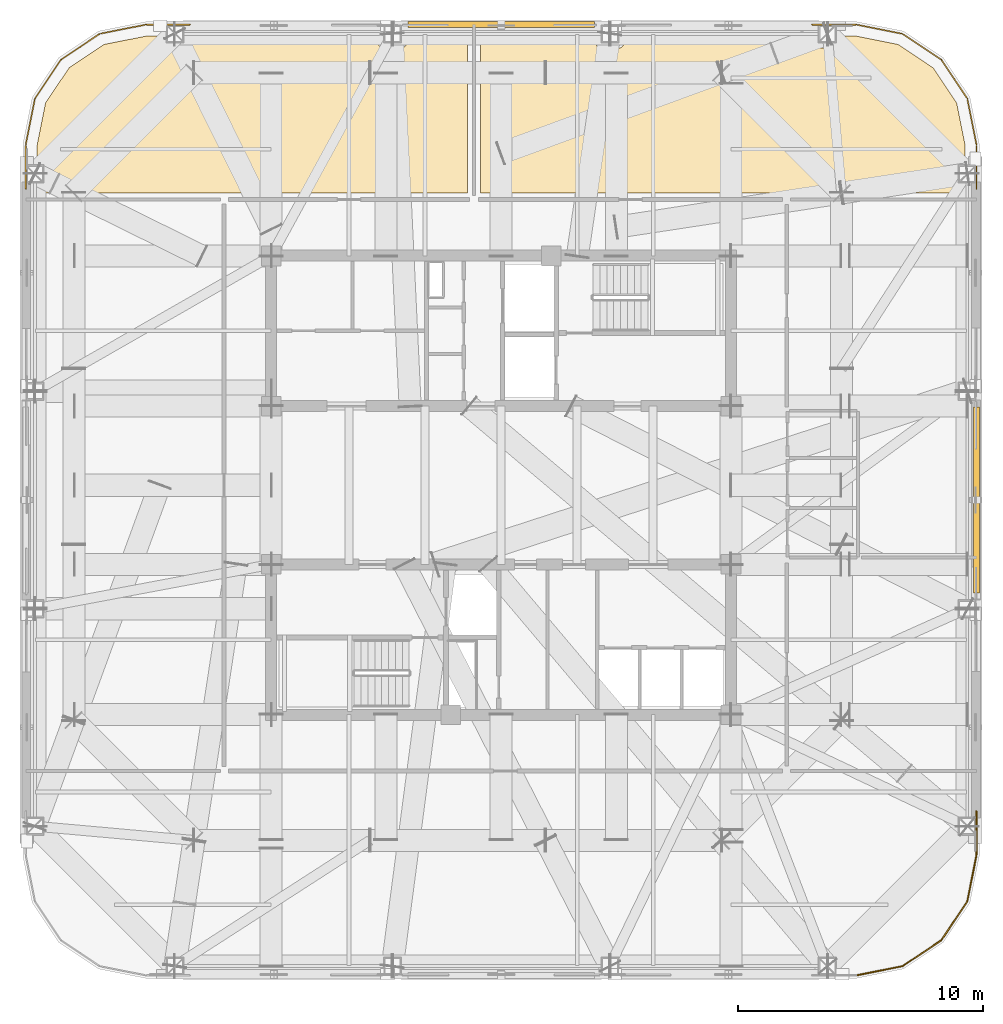
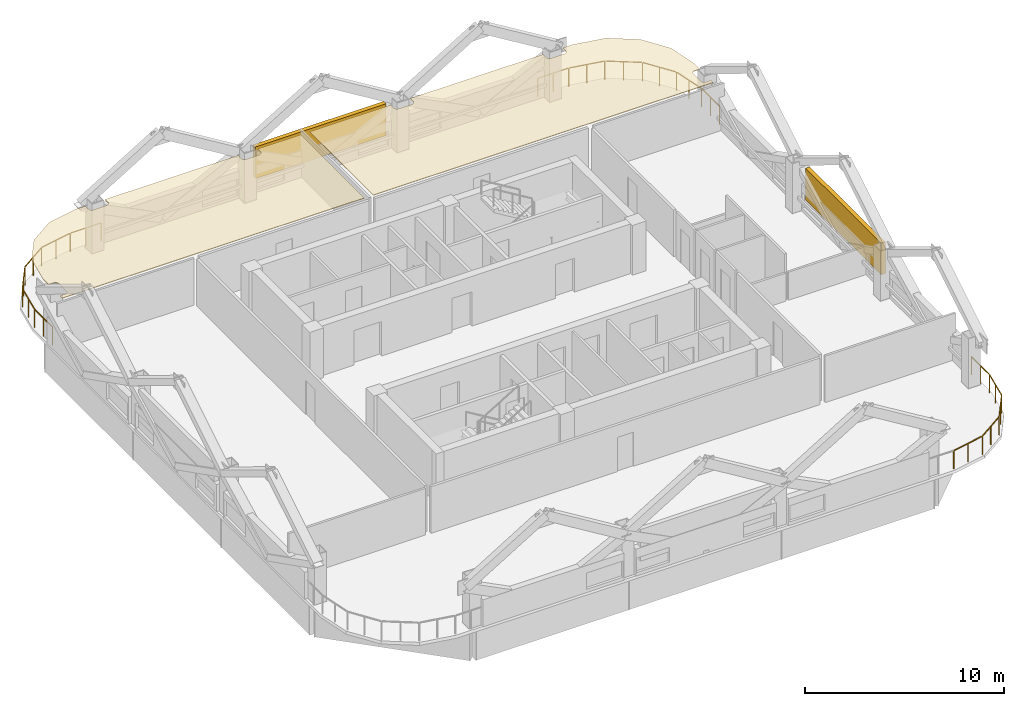
# One storey, part 11 of 11: 3 railings, 2 coverings, 2 shading devices.
"""IFC4 building model written with IfcOpenShell, lengths in metres."""

from ifc_helpers import new_model, si_unit, direction, frame, origin, origin_2d, place, context, subcontext, project, spatial, polyline, rectangle, outline, extrude, material, layer, layer_set, type_object, element, save


model = new_model("IFC4")

# Units and contexts
model_context = context("Model", 3, precision=1e-05, world=origin(), true_north=direction((0.0, 1.0)))
body_context = subcontext(model_context, "Body", "Model", "MODEL_VIEW")
ifc_project = project(units=[si_unit("LENGTHUNIT", "METRE"), si_unit("AREAUNIT", "SQUARE_METRE"), si_unit("VOLUMEUNIT", "CUBIC_METRE"), si_unit("PLANEANGLEUNIT", "RADIAN"), si_unit("MASSUNIT", "GRAM", prefix="KILO")], contexts=[model_context])

# Site, building, storey
site_placement = place(None, origin())
site = spatial("IfcSite", under=ifc_project, at=site_placement, CompositionType="ELEMENT")
building_placement = place(site_placement, origin())
building = spatial("IfcBuilding", under=site, at=building_placement, Name="Qhalaya Broadcast Tower", CompositionType="ELEMENT")
storey_placement = place(building_placement, frame((0.0, 0.0, 199.5)))
storey = spatial("IfcBuildingStorey", under=building, at=storey_placement, Name="L58", CompositionType="ELEMENT", Elevation=199.5)

# Coverings
ifc_material_1 = material(Name="Acoustic Mineral-Fibre Ceiling")
ifc_layer = layer(ifc_material_1, 0.0400390625, Name="Acoustic Mineral-Fibre Ceiling")
ifc_layer_set = layer_set([ifc_layer], Name="Acoustic Mineral-Fibre Ceiling")
covering_type = type_object("IfcCoveringType", Name="Acoustic Mineral-Fibre Suspended Ceiling CLG-01", PredefinedType="CEILING", material=ifc_layer_set)
covering_1_placement = place(storey_placement, frame((0.0, 0.0, 2.820068359375)))
element("IfcCovering", 1, at=covering_1_placement, inside=storey, type_object=covering_type, Name="L58 Acoustic Suspended Ceiling 01", PredefinedType="CEILING", context=body_context, shape_type="SweptSolid", body=[
    extrude(outline(polyline([(-18.919921875, 12.72998046875), (-18.919921875, 12.510009765625), (-1.360107421875, 12.510009765625), (-1.360107421875, 18.919921875), (-3.86328125, 18.919921875), (-3.86328125, 18.6298828125), (-3.8642578125, 18.6103515625), (-3.8671875, 18.591064453125), (-3.871826171875, 18.572021484375), (-3.87841796875, 18.553466796875), (-3.886962890625, 18.53564453125), (-3.89697265625, 18.518798828125), (-3.90869140625, 18.503173828125), (-3.921875, 18.488525390625), (-3.936279296875, 18.475341796875), (-3.9521484375, 18.463623046875), (-3.968994140625, 18.45361328125), (-3.98681640625, 18.4453125), (-4.005126953125, 18.438720703125), (-4.0244140625, 18.433837890625), (-4.043701171875, 18.430908203125), (-4.063232421875, 18.429931640625), (-4.80322265625, 18.429931640625), (-4.822998046875, 18.430908203125), (-4.84228515625, 18.433837890625), (-4.861328125, 18.438720703125), (-4.8798828125, 18.4453125), (-4.897705078125, 18.45361328125), (-4.914306640625, 18.463623046875), (-4.93017578125, 18.475341796875), (-4.944580078125, 18.488525390625), (-4.9580078125, 18.503173828125), (-4.969482421875, 18.518798828125), (-4.979736328125, 18.53564453125), (-4.988037109375, 18.553466796875), (-4.99462890625, 18.572021484375), (-4.99951171875, 18.591064453125), (-5.002197265625, 18.6103515625), (-5.00341796875, 18.6298828125), (-5.00341796875, 18.919921875), (-12.72998046875, 18.919921875), (-12.72998046875, 18.6298828125), (-12.73095703125, 18.6103515625), (-12.73388671875, 18.591064453125), (-12.738525390625, 18.572021484375), (-12.7451171875, 18.553466796875), (-12.753662109375, 18.53564453125), (-12.763671875, 18.518798828125), (-12.775390625, 18.503173828125), (-12.78857421875, 18.488525390625), (-12.802978515625, 18.475341796875), (-12.81884765625, 18.463623046875), (-12.835693359375, 18.45361328125), (-12.853515625, 18.4453125), (-12.871826171875, 18.438720703125), (-12.89111328125, 18.433837890625), (-12.910400390625, 18.430908203125), (-12.929931640625, 18.429931640625), (-13.669921875, 18.429931640625), (-13.689697265625, 18.430908203125), (-13.708984375, 18.433837890625), (-13.72802734375, 18.438720703125), (-13.74658203125, 18.4453125), (-13.764404296875, 18.45361328125), (-13.781005859375, 18.463623046875), (-13.796875, 18.475341796875), (-13.811279296875, 18.488525390625), (-13.82470703125, 18.503173828125), (-13.836181640625, 18.518798828125), (-13.846435546875, 18.53564453125), (-13.854736328125, 18.553466796875), (-13.861328125, 18.572021484375), (-13.8662109375, 18.591064453125), (-13.868896484375, 18.6103515625), (-13.8701171875, 18.6298828125), (-13.8701171875, 18.919921875), (-14.44287109375, 18.919921875), (-16.18701171875, 18.572998046875), (-17.6171875, 17.6171875), (-18.572998046875, 16.18701171875), (-18.919921875, 14.44287109375), (-18.919921875, 13.8701171875), (-18.6298828125, 13.8701171875), (-18.6103515625, 13.868896484375), (-18.591064453125, 13.8662109375), (-18.572021484375, 13.861328125), (-18.553466796875, 13.854736328125), (-18.53564453125, 13.846435546875), (-18.518798828125, 13.836181640625), (-18.503173828125, 13.82470703125), (-18.488525390625, 13.811279296875), (-18.475341796875, 13.796875), (-18.463623046875, 13.781005859375), (-18.45361328125, 13.764404296875), (-18.4453125, 13.74658203125), (-18.438720703125, 13.72802734375), (-18.433837890625, 13.708984375), (-18.430908203125, 13.689697265625), (-18.429931640625, 13.669921875), (-18.429931640625, 12.929931640625), (-18.430908203125, 12.910400390625), (-18.433837890625, 12.89111328125), (-18.438720703125, 12.871826171875), (-18.4453125, 12.853515625), (-18.45361328125, 12.835693359375), (-18.463623046875, 12.81884765625), (-18.475341796875, 12.802978515625), (-18.488525390625, 12.78857421875), (-18.503173828125, 12.775390625), (-18.518798828125, 12.763671875), (-18.53564453125, 12.753662109375), (-18.553466796875, 12.7451171875), (-18.572021484375, 12.738525390625), (-18.591064453125, 12.73388671875), (-18.6103515625, 12.73095703125), (-18.6298828125, 12.72998046875), (-18.919921875, 12.72998046875)])), origin(), (0.0, 0.0, 1.0), 0.0400390625),
])
covering_2_placement = place(storey_placement, frame((0.0, 0.0, 2.820068359375)))
element("IfcCovering", 2, at=covering_2_placement, inside=storey, type_object=covering_type, Name="L58 Acoustic Suspended Ceiling 02", PredefinedType="CEILING", context=body_context, shape_type="SweptSolid", body=[
    extrude(outline(polyline([(3.86328125, 18.919921875), (-0.840087890625, 18.919921875), (-0.840087890625, 12.510009765625), (18.919921875, 12.510009765625), (18.919921875, 12.72998046875), (18.6298828125, 12.72998046875), (18.6103515625, 12.73095703125), (18.591064453125, 12.73388671875), (18.572021484375, 12.738525390625), (18.553466796875, 12.7451171875), (18.53564453125, 12.753662109375), (18.518798828125, 12.763671875), (18.503173828125, 12.775390625), (18.488525390625, 12.78857421875), (18.475341796875, 12.802978515625), (18.463623046875, 12.81884765625), (18.45361328125, 12.835693359375), (18.4453125, 12.853515625), (18.438720703125, 12.871826171875), (18.433837890625, 12.89111328125), (18.430908203125, 12.910400390625), (18.429931640625, 12.929931640625), (18.429931640625, 13.669921875), (18.430908203125, 13.689697265625), (18.433837890625, 13.708984375), (18.438720703125, 13.72802734375), (18.4453125, 13.74658203125), (18.45361328125, 13.764404296875), (18.463623046875, 13.781005859375), (18.475341796875, 13.796875), (18.488525390625, 13.811279296875), (18.503173828125, 13.82470703125), (18.518798828125, 13.836181640625), (18.53564453125, 13.846435546875), (18.553466796875, 13.854736328125), (18.572021484375, 13.861328125), (18.591064453125, 13.8662109375), (18.6103515625, 13.868896484375), (18.6298828125, 13.8701171875), (18.919921875, 13.8701171875), (18.919921875, 14.44287109375), (18.572998046875, 16.18701171875), (17.6171875, 17.6171875), (16.18701171875, 18.572998046875), (14.44287109375, 18.919921875), (13.8701171875, 18.919921875), (13.8701171875, 18.6298828125), (13.868896484375, 18.6103515625), (13.8662109375, 18.591064453125), (13.861328125, 18.572021484375), (13.854736328125, 18.553466796875), (13.846435546875, 18.53564453125), (13.836181640625, 18.518798828125), (13.82470703125, 18.503173828125), (13.811279296875, 18.488525390625), (13.796875, 18.475341796875), (13.781005859375, 18.463623046875), (13.764404296875, 18.45361328125), (13.74658203125, 18.4453125), (13.72802734375, 18.438720703125), (13.708984375, 18.433837890625), (13.689697265625, 18.430908203125), (13.669921875, 18.429931640625), (12.929931640625, 18.429931640625), (12.910400390625, 18.430908203125), (12.89111328125, 18.433837890625), (12.871826171875, 18.438720703125), (12.853515625, 18.4453125), (12.835693359375, 18.45361328125), (12.81884765625, 18.463623046875), (12.802978515625, 18.475341796875), (12.78857421875, 18.488525390625), (12.775390625, 18.503173828125), (12.763671875, 18.518798828125), (12.753662109375, 18.53564453125), (12.7451171875, 18.553466796875), (12.738525390625, 18.572021484375), (12.73388671875, 18.591064453125), (12.73095703125, 18.6103515625), (12.72998046875, 18.6298828125), (12.72998046875, 18.919921875), (5.00341796875, 18.919921875), (5.00341796875, 18.6298828125), (5.002197265625, 18.6103515625), (4.99951171875, 18.591064453125), (4.99462890625, 18.572021484375), (4.988037109375, 18.553466796875), (4.979736328125, 18.53564453125), (4.969482421875, 18.518798828125), (4.9580078125, 18.503173828125), (4.944580078125, 18.488525390625), (4.93017578125, 18.475341796875), (4.914306640625, 18.463623046875), (4.897705078125, 18.45361328125), (4.8798828125, 18.4453125), (4.861328125, 18.438720703125), (4.84228515625, 18.433837890625), (4.822998046875, 18.430908203125), (4.80322265625, 18.429931640625), (4.063232421875, 18.429931640625), (4.043701171875, 18.430908203125), (4.0244140625, 18.433837890625), (4.005126953125, 18.438720703125), (3.98681640625, 18.4453125), (3.968994140625, 18.45361328125), (3.9521484375, 18.463623046875), (3.936279296875, 18.475341796875), (3.921875, 18.488525390625), (3.90869140625, 18.503173828125), (3.89697265625, 18.518798828125), (3.886962890625, 18.53564453125), (3.87841796875, 18.553466796875), (3.871826171875, 18.572021484375), (3.8671875, 18.591064453125), (3.8642578125, 18.6103515625), (3.86328125, 18.6298828125), (3.86328125, 18.919921875)])), origin(), (0.0, 0.0, 1.0), 0.0400390625),
])

# Railings
ifc_material_2 = material(Name="Powder-Coated Galvanised Steel", Category="steel")
railing_type = type_object("IfcRailingType", Name="Terrace, Sky-Pool & Lookout Glass Balustrade 1150", PredefinedType="BALUSTRADE", material=ifc_material_2)
railing_1_placement = place(storey_placement, frame((-19.3798828125, 12.681884765625, 0.0)))
element("IfcRailing", 3, at=railing_1_placement, inside=storey, type_object=railing_type, Name="L58 Rounded Corner Perimeter Guard 03", PredefinedType="BALUSTRADE", context=body_context, shape_type="SweptSolid", body=[
    extrude(rectangle(XDim=0.048095703125, YDim=0.048095703125, at=origin_2d()), frame((0.0, 0.0, 1.1259765625), z_axis=(0.0, 1.0, 0.0), x_axis=(-1.0, 0.0, 0.0)), (0.0, 0.0, 1.0), 1.777587890625),
    extrude(rectangle(XDim=0.048095703125, YDim=0.048095703125, at=origin_2d()), frame((0.005615234375, 1.834716796875, 1.1259765625), z_axis=(0.195037378397, 0.980795810058, 0.0), x_axis=(-0.980795810058, 0.195037378397, 0.0)), (0.0, 0.0, 1.0), 1.857421875),
    extrude(rectangle(XDim=0.048095703125, YDim=0.048095703125, at=origin_2d()), frame((0.3896484375, 3.708740234375, 1.1259765625), z_axis=(0.555617615188, 0.831437950597, 0.0), x_axis=(-0.831437950597, 0.555617615188, 0.0)), (0.0, 0.0, 1.0), 1.845458984375),
    extrude(rectangle(XDim=0.048095703125, YDim=0.048095703125, at=origin_2d()), frame((1.454833984375, 5.283203125, 1.1259765625), z_axis=(0.831437950597, 0.555617615188, 0.0), x_axis=(-0.555617615188, 0.831437950597, 0.0)), (0.0, 0.0, 1.0), 1.845458984375),
    extrude(rectangle(XDim=0.048095703125, YDim=0.048095703125, at=origin_2d()), frame((3.04150390625, 6.330078125, 1.1259765625), z_axis=(0.980795810058, 0.195037378397, 0.0), x_axis=(-0.195037378397, 0.980795810058, 0.0)), (0.0, 0.0, 1.0), 1.857421875),
    extrude(rectangle(XDim=0.048095703125, YDim=0.048095703125, at=origin_2d()), frame((4.92041015625, 6.697998046875, 1.1259765625), z_axis=(1.0, 0.0, 0.0), x_axis=(0.0, 1.0, 0.0)), (0.0, 0.0, 1.0), 1.777587890625),
    extrude(rectangle(XDim=0.0419921875, YDim=0.0419921875, at=origin_2d()), origin(), (0.0, 0.0, 1.0), 1.099853515625),
    extrude(rectangle(XDim=0.0419921875, YDim=0.0419921875, at=origin_2d()), frame((0.0, 0.9033203125, 0.0)), (0.0, 0.0, 1.0), 1.099853515625),
    extrude(rectangle(XDim=0.0419921875, YDim=0.0419921875, at=origin_2d()), frame((0.0, 1.806396484375, 0.0)), (0.0, 0.0, 1.0), 1.099853515625),
    extrude(rectangle(XDim=0.0419921875, YDim=0.0419921875, at=origin_2d()), frame((0.186767578125, 2.74560546875, 0.0)), (0.0, 0.0, 1.0), 1.099853515625),
    extrude(rectangle(XDim=0.0419921875, YDim=0.0419921875, at=origin_2d()), frame((0.37353515625, 3.684814453125, 0.0)), (0.0, 0.0, 1.0), 1.099853515625),
    extrude(rectangle(XDim=0.0419921875, YDim=0.0419921875, at=origin_2d()), frame((0.90234375, 4.47607421875, 0.0)), (0.0, 0.0, 1.0), 1.099853515625),
    extrude(rectangle(XDim=0.0419921875, YDim=0.0419921875, at=origin_2d()), frame((1.430908203125, 5.26708984375, 0.0)), (0.0, 0.0, 1.0), 1.099853515625),
    extrude(rectangle(XDim=0.0419921875, YDim=0.0419921875, at=origin_2d()), frame((2.22216796875, 5.7958984375, 0.0)), (0.0, 0.0, 1.0), 1.099853515625),
    extrude(rectangle(XDim=0.0419921875, YDim=0.0419921875, at=origin_2d()), frame((3.01318359375, 6.324462890625, 0.0)), (0.0, 0.0, 1.0), 1.099853515625),
    extrude(rectangle(XDim=0.0419921875, YDim=0.0419921875, at=origin_2d()), frame((3.952392578125, 6.51123046875, 0.0)), (0.0, 0.0, 1.0), 1.099853515625),
    extrude(rectangle(XDim=0.0419921875, YDim=0.0419921875, at=origin_2d()), frame((4.8916015625, 6.697998046875, 0.0)), (0.0, 0.0, 1.0), 1.099853515625),
    extrude(rectangle(XDim=0.0419921875, YDim=0.0419921875, at=origin_2d()), frame((5.794921875, 6.697998046875, 0.0)), (0.0, 0.0, 1.0), 1.099853515625),
    extrude(rectangle(XDim=0.0419921875, YDim=0.0419921875, at=origin_2d()), frame((6.697998046875, 6.697998046875, 0.0)), (0.0, 0.0, 1.0), 1.099853515625),
])
railing_2_placement = place(storey_placement, frame((12.681884765625, 19.3798828125, 0.0)))
element("IfcRailing", 4, at=railing_2_placement, inside=storey, type_object=railing_type, Name="L58 Rounded Corner Perimeter Guard 04", PredefinedType="BALUSTRADE", context=body_context, shape_type="SweptSolid", body=[
    extrude(rectangle(XDim=0.048095703125, YDim=0.048095703125, at=origin_2d()), frame((0.0, 0.0, 1.1259765625), z_axis=(1.0, 0.0, 0.0), x_axis=(0.0, 1.0, 0.0)), (0.0, 0.0, 1.0), 1.777587890625),
    extrude(rectangle(XDim=0.048095703125, YDim=0.048095703125, at=origin_2d()), frame((1.834716796875, -0.005615234375, 1.1259765625), z_axis=(0.980795810058, -0.195037378397, 0.0), x_axis=(0.195037378397, 0.980795810058, 0.0)), (0.0, 0.0, 1.0), 1.857421875),
    extrude(rectangle(XDim=0.048095703125, YDim=0.048095703125, at=origin_2d()), frame((3.708740234375, -0.3896484375, 1.1259765625), z_axis=(0.831437950597, -0.555617615188, 0.0), x_axis=(0.555617615188, 0.831437950597, 0.0)), (0.0, 0.0, 1.0), 1.845458984375),
    extrude(rectangle(XDim=0.048095703125, YDim=0.048095703125, at=origin_2d()), frame((5.283203125, -1.454833984375, 1.1259765625), z_axis=(0.555617615188, -0.831437950597, 0.0), x_axis=(0.831437950597, 0.555617615188, 0.0)), (0.0, 0.0, 1.0), 1.845458984375),
    extrude(rectangle(XDim=0.048095703125, YDim=0.048095703125, at=origin_2d()), frame((6.330078125, -3.04150390625, 1.1259765625), z_axis=(0.195037378397, -0.980795810058, 0.0), x_axis=(0.980795810058, 0.195037378397, 0.0)), (0.0, 0.0, 1.0), 1.857421875),
    extrude(rectangle(XDim=0.048095703125, YDim=0.048095703125, at=origin_2d()), frame((6.697998046875, -4.92041015625, 1.1259765625), z_axis=(0.0, -1.0, 0.0), x_axis=(1.0, 0.0, 0.0)), (0.0, 0.0, 1.0), 1.777587890625),
    extrude(rectangle(XDim=0.0419921875, YDim=0.0419921875, at=origin_2d()), origin(), (0.0, 0.0, 1.0), 1.099853515625),
    extrude(rectangle(XDim=0.0419921875, YDim=0.0419921875, at=origin_2d()), frame((0.9033203125, 0.0, 0.0)), (0.0, 0.0, 1.0), 1.099853515625),
    extrude(rectangle(XDim=0.0419921875, YDim=0.0419921875, at=origin_2d()), frame((1.806396484375, 0.0, 0.0)), (0.0, 0.0, 1.0), 1.099853515625),
    extrude(rectangle(XDim=0.0419921875, YDim=0.0419921875, at=origin_2d()), frame((2.74560546875, -0.186767578125, 0.0)), (0.0, 0.0, 1.0), 1.099853515625),
    extrude(rectangle(XDim=0.0419921875, YDim=0.0419921875, at=origin_2d()), frame((3.684814453125, -0.37353515625, 0.0)), (0.0, 0.0, 1.0), 1.099853515625),
    extrude(rectangle(XDim=0.0419921875, YDim=0.0419921875, at=origin_2d()), frame((4.47607421875, -0.90234375, 0.0)), (0.0, 0.0, 1.0), 1.099853515625),
    extrude(rectangle(XDim=0.0419921875, YDim=0.0419921875, at=origin_2d()), frame((5.26708984375, -1.430908203125, 0.0)), (0.0, 0.0, 1.0), 1.099853515625),
    extrude(rectangle(XDim=0.0419921875, YDim=0.0419921875, at=origin_2d()), frame((5.7958984375, -2.22216796875, 0.0)), (0.0, 0.0, 1.0), 1.099853515625),
    extrude(rectangle(XDim=0.0419921875, YDim=0.0419921875, at=origin_2d()), frame((6.324462890625, -3.01318359375, 0.0)), (0.0, 0.0, 1.0), 1.099853515625),
    extrude(rectangle(XDim=0.0419921875, YDim=0.0419921875, at=origin_2d()), frame((6.51123046875, -3.952392578125, 0.0)), (0.0, 0.0, 1.0), 1.099853515625),
    extrude(rectangle(XDim=0.0419921875, YDim=0.0419921875, at=origin_2d()), frame((6.697998046875, -4.8916015625, 0.0)), (0.0, 0.0, 1.0), 1.099853515625),
    extrude(rectangle(XDim=0.0419921875, YDim=0.0419921875, at=origin_2d()), frame((6.697998046875, -5.794921875, 0.0)), (0.0, 0.0, 1.0), 1.099853515625),
    extrude(rectangle(XDim=0.0419921875, YDim=0.0419921875, at=origin_2d()), frame((6.697998046875, -6.697998046875, 0.0)), (0.0, 0.0, 1.0), 1.099853515625),
])
railing_3_placement = place(storey_placement, frame((19.3798828125, -12.681884765625, 0.0)))
element("IfcRailing", 5, at=railing_3_placement, inside=storey, type_object=railing_type, Name="L58 Rounded Corner Perimeter Guard 05", PredefinedType="BALUSTRADE", context=body_context, shape_type="SweptSolid", body=[
    extrude(rectangle(XDim=0.048095703125, YDim=0.048095703125, at=origin_2d()), frame((0.0, 0.0, 1.1259765625), z_axis=(0.0, -1.0, 0.0), x_axis=(1.0, 0.0, 0.0)), (0.0, 0.0, 1.0), 1.777587890625),
    extrude(rectangle(XDim=0.048095703125, YDim=0.048095703125, at=origin_2d()), frame((-0.005615234375, -1.834716796875, 1.1259765625), z_axis=(-0.195037378397, -0.980795810058, 0.0), x_axis=(0.980795810058, -0.195037378397, 0.0)), (0.0, 0.0, 1.0), 1.857421875),
    extrude(rectangle(XDim=0.048095703125, YDim=0.048095703125, at=origin_2d()), frame((-0.3896484375, -3.708740234375, 1.1259765625), z_axis=(-0.555617615188, -0.831437950597, 0.0), x_axis=(0.831437950597, -0.555617615188, 0.0)), (0.0, 0.0, 1.0), 1.845458984375),
    extrude(rectangle(XDim=0.048095703125, YDim=0.048095703125, at=origin_2d()), frame((-1.454833984375, -5.283203125, 1.1259765625), z_axis=(-0.831437950597, -0.555617615188, 0.0), x_axis=(0.555617615188, -0.831437950597, 0.0)), (0.0, 0.0, 1.0), 1.845458984375),
    extrude(rectangle(XDim=0.048095703125, YDim=0.048095703125, at=origin_2d()), frame((-3.04150390625, -6.330078125, 1.1259765625), z_axis=(-0.980795810058, -0.195037378397, 0.0), x_axis=(0.195037378397, -0.980795810058, 0.0)), (0.0, 0.0, 1.0), 1.88623046875),
    extrude(rectangle(XDim=0.0419921875, YDim=0.0419921875, at=origin_2d()), origin(), (0.0, 0.0, 1.0), 1.099853515625),
    extrude(rectangle(XDim=0.0419921875, YDim=0.0419921875, at=origin_2d()), frame((0.0, -0.9033203125, 0.0)), (0.0, 0.0, 1.0), 1.099853515625),
    extrude(rectangle(XDim=0.0419921875, YDim=0.0419921875, at=origin_2d()), frame((0.0, -1.806396484375, 0.0)), (0.0, 0.0, 1.0), 1.099853515625),
    extrude(rectangle(XDim=0.0419921875, YDim=0.0419921875, at=origin_2d()), frame((-0.186767578125, -2.74560546875, 0.0)), (0.0, 0.0, 1.0), 1.099853515625),
    extrude(rectangle(XDim=0.0419921875, YDim=0.0419921875, at=origin_2d()), frame((-0.37353515625, -3.684814453125, 0.0)), (0.0, 0.0, 1.0), 1.099853515625),
    extrude(rectangle(XDim=0.0419921875, YDim=0.0419921875, at=origin_2d()), frame((-0.90234375, -4.47607421875, 0.0)), (0.0, 0.0, 1.0), 1.099853515625),
    extrude(rectangle(XDim=0.0419921875, YDim=0.0419921875, at=origin_2d()), frame((-1.430908203125, -5.26708984375, 0.0)), (0.0, 0.0, 1.0), 1.099853515625),
    extrude(rectangle(XDim=0.0419921875, YDim=0.0419921875, at=origin_2d()), frame((-2.22216796875, -5.7958984375, 0.0)), (0.0, 0.0, 1.0), 1.099853515625),
    extrude(rectangle(XDim=0.0419921875, YDim=0.0419921875, at=origin_2d()), frame((-3.01318359375, -6.324462890625, 0.0)), (0.0, 0.0, 1.0), 1.099853515625),
    extrude(rectangle(XDim=0.0419921875, YDim=0.0419921875, at=origin_2d()), frame((-3.952392578125, -6.51123046875, 0.0)), (0.0, 0.0, 1.0), 1.099853515625),
    extrude(rectangle(XDim=0.0419921875, YDim=0.0419921875, at=origin_2d()), frame((-4.8916015625, -6.697998046875, 0.0)), (0.0, 0.0, 1.0), 1.099853515625),
])

# Shading devices
ifc_material_3 = material(Name="Fired Architectural Terracotta", Category="masonry")
shading_device_type = type_object("IfcShadingDeviceType", Name="Terracotta Baguette Solar Screen Assembly TBS-01", PredefinedType="USERDEFINED", material=ifc_material_3)
for number, where, z_axis, x_axis, name in (
    (6, (19.3798828125, 0.0, 0.80078125), (0.0, 0.0, 1.0), (0.0, 1.0, 0.0), "L58 Fired Terracotta Baguette Screen E"),
    (7, (0.0, 19.3798828125, 0.80078125), (0.0, 0.0, 1.0), (-1.0, 0.0, 0.0), "L58 Fired Terracotta Baguette Screen N"),
):
    element("IfcShadingDevice", number, at=place(storey_placement, frame(where, z_axis=z_axis, x_axis=x_axis)), inside=storey, type_object=shading_device_type, Name=name, ObjectType="BAGUETTE", PredefinedType="USERDEFINED", context=body_context, shape_type="SweptSolid", body=[
        extrude(rectangle(XDim=7.60009765625, YDim=0.239990234375, at=origin_2d()), origin(), (0.0, 0.0, 1.0), 1.945068359375),
    ])

save(model, "model.ifc")
